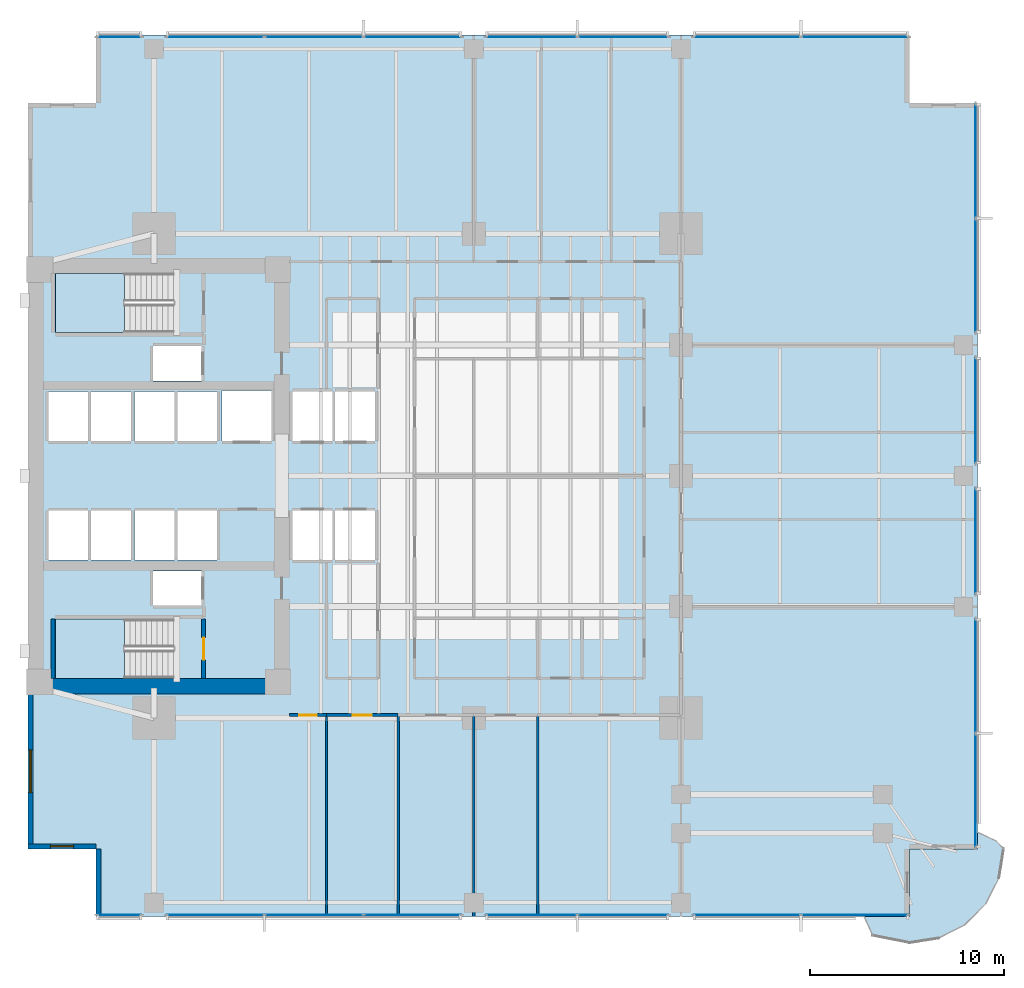
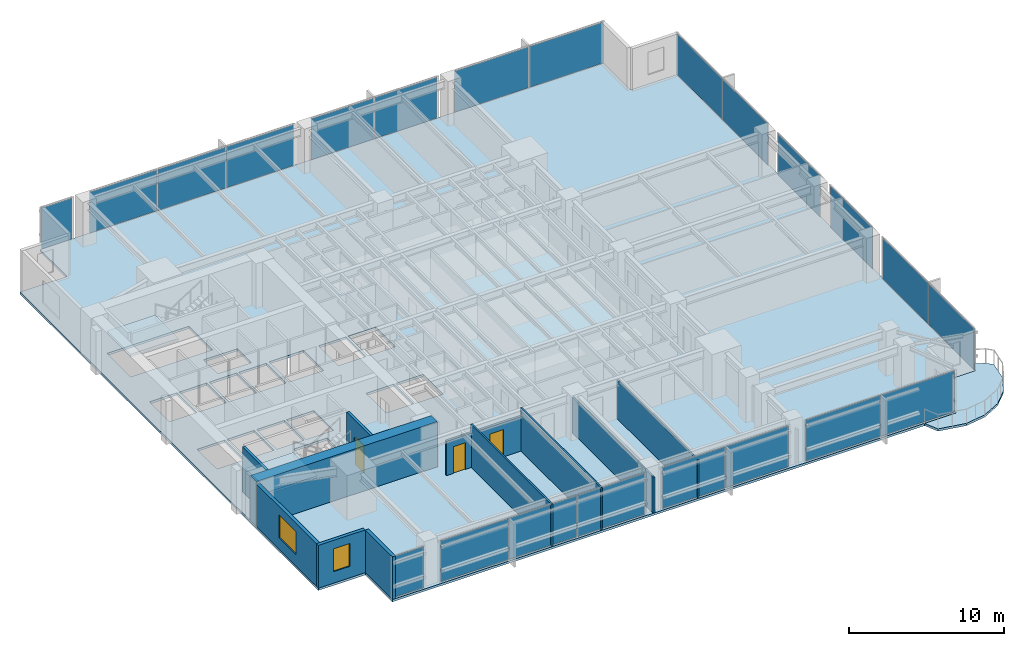
# One storey, part 7 of 16: 22 plates, 12 walls, 4 slabs, 3 doors, 2 windows, 5 openings, 14 elements without a shape of their own.
"""IFC4 building model written with IfcOpenShell, lengths in metres."""

from ifc_helpers import new_model, si_unit, direction, frame, frame_2d, origin, origin_2d, place, context, subcontext, project, spatial, polyline, rectangle, outline, extrude, material, layer, layer_set, type_object, element, fill, aggregate, save


model = new_model("IFC4")

# Units and contexts
model_context = context("Model", 3, precision=1e-05, world=origin(), true_north=direction((0.0, 1.0)))
body_context = subcontext(model_context, "Body", "Model", "MODEL_VIEW")
ifc_project = project(units=[si_unit("LENGTHUNIT", "METRE"), si_unit("AREAUNIT", "SQUARE_METRE"), si_unit("VOLUMEUNIT", "CUBIC_METRE"), si_unit("PLANEANGLEUNIT", "RADIAN"), si_unit("MASSUNIT", "GRAM", prefix="KILO")], contexts=[model_context])

# Site, building, storey
site_placement = place(None, origin())
site = spatial("IfcSite", under=ifc_project, at=site_placement, CompositionType="ELEMENT")
building_placement = place(site_placement, origin())
building = spatial("IfcBuilding", under=site, at=building_placement, Name="Kinhvarn Gate Tower", CompositionType="ELEMENT")
storey_placement = place(building_placement, frame((0.0, 0.0, 82.39990234375)))
storey = spatial("IfcBuildingStorey", under=building, at=storey_placement, Name="L21", CompositionType="ELEMENT", Elevation=82.39990234375)

# Curtain wall, plate
ifc_material_1 = material(Name="Anodised aluminium AW-6063", Category="aluminium")
ifc_layer_1 = layer(ifc_material_1, 0.179931640625)
ifc_layer_set_1 = layer_set([ifc_layer_1], Name="Anodised aluminium AW-6063")
curtain_wall_type = type_object("IfcCurtainWallType", Name="CW-SYS-2", PredefinedType="NOTDEFINED", material=ifc_layer_set_1)
curtain_wall_1_placement = place(storey_placement, origin())
curtain_wall_1 = element("IfcCurtainWall", 1, at=curtain_wall_1_placement, inside=storey, type_object=curtain_wall_type, Name="Curtain Wall CW2 (L21)", PredefinedType="NOTDEFINED")
ifc_material_2 = material(Name="Clear low-e double glazing", Category="glass")
ifc_layer_2 = layer(ifc_material_2, 0.031982421875)
ifc_layer_set_2 = layer_set([ifc_layer_2], Name="Clear low-e double glazing")
plate_type = type_object("IfcPlateType", Name="CW-PNL-VIS", PredefinedType="CURTAIN_PANEL", material=ifc_layer_set_2)
plate_1_placement = place(storey_placement, frame((9.2099609375, 2.590087890625, 0.070068359375), z_axis=(0.0, 0.0, 1.0), x_axis=(1.0, 0.0, 0.0)))
plate_1 = element("IfcPlate", 2, at=plate_1_placement, type_object=plate_type, Name="CW2 panel 1.1", PredefinedType="CURTAIN_PANEL", context=body_context, shape_type="SweptSolid", body=[
    extrude(rectangle(XDim=2.280029296875, YDim=0.031982421875, at=origin_2d()), origin(), (0.0, 0.0, 1.0), 3.22998046875),
])
aggregate(curtain_wall_1, [plate_1])

# Curtain wall, plates
curtain_wall_2_placement = place(storey_placement, origin())
curtain_wall_2 = element("IfcCurtainWall", 3, at=curtain_wall_2_placement, inside=storey, type_object=curtain_wall_type, Name="Curtain Wall CW2 (L21)", PredefinedType="NOTDEFINED")
plate_2_placement = place(storey_placement, frame((14.154052734375, 2.590087890625, 0.070068359375), z_axis=(0.0, 0.0, 1.0), x_axis=(1.0, 0.0, 0.0)))
plate_2 = element("IfcPlate", 4, at=plate_2_placement, type_object=plate_type, Name="CW2 panel 1.1", PredefinedType="CURTAIN_PANEL", context=body_context, shape_type="SweptSolid", body=[
    extrude(rectangle(XDim=5.00830078125, YDim=0.031982421875, at=origin_2d()), origin(), (0.0, 0.0, 1.0), 3.22998046875),
])
plate_3_placement = place(storey_placement, frame((19.25, 2.590087890625, 0.070068359375), z_axis=(0.0, 0.0, 1.0), x_axis=(1.0, 0.0, 0.0)))
plate_3 = element("IfcPlate", 5, at=plate_3_placement, type_object=plate_type, Name="CW2 panel 2.1", PredefinedType="CURTAIN_PANEL", context=body_context, shape_type="SweptSolid", body=[
    extrude(rectangle(XDim=5.043212890625, YDim=0.031982421875, at=origin_2d()), origin(), (0.0, 0.0, 1.0), 3.22998046875),
])
plate_4_placement = place(storey_placement, frame((24.345947265625, 2.590087890625, 0.070068359375), z_axis=(0.0, 0.0, 1.0), x_axis=(1.0, 0.0, 0.0)))
plate_4 = element("IfcPlate", 6, at=plate_4_placement, type_object=plate_type, Name="CW2 panel 3.1", PredefinedType="CURTAIN_PANEL", context=body_context, shape_type="SweptSolid", body=[
    extrude(rectangle(XDim=5.00830078125, YDim=0.031982421875, at=origin_2d()), origin(), (0.0, 0.0, 1.0), 3.22998046875),
])
aggregate(curtain_wall_2, [plate_2, plate_3, plate_4])

curtain_wall_3_placement = place(storey_placement, origin())
curtain_wall_3 = element("IfcCurtainWall", 7, at=curtain_wall_3_placement, inside=storey, type_object=curtain_wall_type, Name="Curtain Wall CW2 (L21)", PredefinedType="NOTDEFINED")
plate_5_placement = place(storey_placement, frame((30.482421875, 2.590087890625, 0.070068359375), z_axis=(0.0, 0.0, 1.0), x_axis=(1.0, 0.0, 0.0)))
plate_5 = element("IfcPlate", 8, at=plate_5_placement, type_object=plate_type, Name="CW2 panel 1.1", PredefinedType="CURTAIN_PANEL", context=body_context, shape_type="SweptSolid", body=[
    extrude(rectangle(XDim=4.6650390625, YDim=0.031982421875, at=origin_2d()), origin(), (0.0, 0.0, 1.0), 3.22998046875),
])
plate_6_placement = place(storey_placement, frame((35.217529296875, 2.590087890625, 0.070068359375), z_axis=(0.0, 0.0, 1.0), x_axis=(1.0, 0.0, 0.0)))
plate_6 = element("IfcPlate", 9, at=plate_6_placement, type_object=plate_type, Name="CW2 panel 2.1", PredefinedType="CURTAIN_PANEL", context=body_context, shape_type="SweptSolid", body=[
    extrude(rectangle(XDim=4.6650390625, YDim=0.031982421875, at=origin_2d()), origin(), (0.0, 0.0, 1.0), 3.22998046875),
])
aggregate(curtain_wall_3, [plate_5, plate_6])

curtain_wall_4_placement = place(storey_placement, origin())
curtain_wall_4 = element("IfcCurtainWall", 10, at=curtain_wall_4_placement, inside=storey, type_object=curtain_wall_type, Name="Curtain Wall CW2 (L21)", PredefinedType="NOTDEFINED")
plate_7_placement = place(storey_placement, frame((41.6025390625, 2.590087890625, 0.070068359375), z_axis=(0.0, 0.0, 1.0), x_axis=(1.0, 0.0, 0.0)))
plate_7 = element("IfcPlate", 11, at=plate_7_placement, type_object=plate_type, Name="CW2 panel 1.1", PredefinedType="CURTAIN_PANEL", context=body_context, shape_type="SweptSolid", body=[
    extrude(rectangle(XDim=5.5048828125, YDim=0.031982421875, at=origin_2d()), origin(), (0.0, 0.0, 1.0), 3.22998046875),
])
plate_8_placement = place(storey_placement, frame((47.177490234375, 2.590087890625, 0.070068359375), z_axis=(0.0, 0.0, 1.0), x_axis=(1.0, 0.0, 0.0)))
plate_8 = element("IfcPlate", 12, at=plate_8_placement, type_object=plate_type, Name="CW2 panel 2.1", PredefinedType="CURTAIN_PANEL", context=body_context, shape_type="SweptSolid", body=[
    extrude(rectangle(XDim=5.5048828125, YDim=0.031982421875, at=origin_2d()), origin(), (0.0, 0.0, 1.0), 3.22998046875),
])
aggregate(curtain_wall_4, [plate_7, plate_8])

curtain_wall_5_placement = place(storey_placement, origin())
curtain_wall_5 = element("IfcCurtainWall", 13, at=curtain_wall_5_placement, inside=storey, type_object=curtain_wall_type, Name="Curtain Wall CW2 (L21)", PredefinedType="NOTDEFINED")
plate_9_placement = place(storey_placement, frame((47.177490234375, 47.909912109375, 0.070068359375), z_axis=(0.0, 0.0, 1.0), x_axis=(-1.0, 0.0, 0.0)))
plate_9 = element("IfcPlate", 14, at=plate_9_placement, type_object=plate_type, Name="CW2 panel 1.1", PredefinedType="CURTAIN_PANEL", context=body_context, shape_type="SweptSolid", body=[
    extrude(rectangle(XDim=5.5048828125, YDim=0.031982421875, at=origin_2d()), origin(), (0.0, 0.0, 1.0), 3.22998046875),
])
plate_10_placement = place(storey_placement, frame((41.6025390625, 47.909912109375, 0.070068359375), z_axis=(0.0, 0.0, 1.0), x_axis=(-1.0, 0.0, 0.0)))
plate_10 = element("IfcPlate", 15, at=plate_10_placement, type_object=plate_type, Name="CW2 panel 2.1", PredefinedType="CURTAIN_PANEL", context=body_context, shape_type="SweptSolid", body=[
    extrude(rectangle(XDim=5.5048828125, YDim=0.031982421875, at=origin_2d()), origin(), (0.0, 0.0, 1.0), 3.22998046875),
])
aggregate(curtain_wall_5, [plate_9, plate_10])

curtain_wall_6_placement = place(storey_placement, origin())
curtain_wall_6 = element("IfcCurtainWall", 16, at=curtain_wall_6_placement, inside=storey, type_object=curtain_wall_type, Name="Curtain Wall CW2 (L21)", PredefinedType="NOTDEFINED")
plate_11_placement = place(storey_placement, frame((35.217529296875, 47.909912109375, 0.070068359375), z_axis=(0.0, 0.0, 1.0), x_axis=(-1.0, 0.0, 0.0)))
plate_11 = element("IfcPlate", 17, at=plate_11_placement, type_object=plate_type, Name="CW2 panel 1.1", PredefinedType="CURTAIN_PANEL", context=body_context, shape_type="SweptSolid", body=[
    extrude(rectangle(XDim=4.6650390625, YDim=0.031982421875, at=origin_2d()), origin(), (0.0, 0.0, 1.0), 3.22998046875),
])
plate_12_placement = place(storey_placement, frame((30.482421875, 47.909912109375, 0.070068359375), z_axis=(0.0, 0.0, 1.0), x_axis=(-1.0, 0.0, 0.0)))
plate_12 = element("IfcPlate", 18, at=plate_12_placement, type_object=plate_type, Name="CW2 panel 2.1", PredefinedType="CURTAIN_PANEL", context=body_context, shape_type="SweptSolid", body=[
    extrude(rectangle(XDim=4.6650390625, YDim=0.031982421875, at=origin_2d()), origin(), (0.0, 0.0, 1.0), 3.22998046875),
])
aggregate(curtain_wall_6, [plate_11, plate_12])

curtain_wall_7_placement = place(storey_placement, origin())
curtain_wall_7 = element("IfcCurtainWall", 19, at=curtain_wall_7_placement, inside=storey, type_object=curtain_wall_type, Name="Curtain Wall CW2 (L21)", PredefinedType="NOTDEFINED")
plate_13_placement = place(storey_placement, frame((24.345947265625, 47.909912109375, 0.070068359375), z_axis=(0.0, 0.0, 1.0), x_axis=(-1.0, 0.0, 0.0)))
plate_13 = element("IfcPlate", 20, at=plate_13_placement, type_object=plate_type, Name="CW2 panel 1.1", PredefinedType="CURTAIN_PANEL", context=body_context, shape_type="SweptSolid", body=[
    extrude(rectangle(XDim=5.00830078125, YDim=0.031982421875, at=origin_2d()), origin(), (0.0, 0.0, 1.0), 3.22998046875),
])
plate_14_placement = place(storey_placement, frame((19.25, 47.909912109375, 0.070068359375), z_axis=(0.0, 0.0, 1.0), x_axis=(-1.0, 0.0, 0.0)))
plate_14 = element("IfcPlate", 21, at=plate_14_placement, type_object=plate_type, Name="CW2 panel 2.1", PredefinedType="CURTAIN_PANEL", context=body_context, shape_type="SweptSolid", body=[
    extrude(rectangle(XDim=5.043212890625, YDim=0.031982421875, at=origin_2d()), origin(), (0.0, 0.0, 1.0), 3.22998046875),
])
plate_15_placement = place(storey_placement, frame((14.154052734375, 47.909912109375, 0.070068359375), z_axis=(0.0, 0.0, 1.0), x_axis=(-1.0, 0.0, 0.0)))
plate_15 = element("IfcPlate", 22, at=plate_15_placement, type_object=plate_type, Name="CW2 panel 3.1", PredefinedType="CURTAIN_PANEL", context=body_context, shape_type="SweptSolid", body=[
    extrude(rectangle(XDim=5.00830078125, YDim=0.031982421875, at=origin_2d()), origin(), (0.0, 0.0, 1.0), 3.22998046875),
])
aggregate(curtain_wall_7, [plate_13, plate_14, plate_15])

# Curtain wall, plate
curtain_wall_8_placement = place(storey_placement, origin())
curtain_wall_8 = element("IfcCurtainWall", 23, at=curtain_wall_8_placement, inside=storey, type_object=curtain_wall_type, Name="Curtain Wall CW2 (L21)", PredefinedType="NOTDEFINED")
plate_16_placement = place(storey_placement, frame((9.2099609375, 47.909912109375, 0.070068359375), z_axis=(0.0, 0.0, 1.0), x_axis=(-1.0, 0.0, 0.0)))
plate_16 = element("IfcPlate", 24, at=plate_16_placement, type_object=plate_type, Name="CW2 panel 1.1", PredefinedType="CURTAIN_PANEL", context=body_context, shape_type="SweptSolid", body=[
    extrude(rectangle(XDim=2.280029296875, YDim=0.031982421875, at=origin_2d()), origin(), (0.0, 0.0, 1.0), 3.22998046875),
])
aggregate(curtain_wall_8, [plate_16])

# Curtain wall, plates
curtain_wall_9_placement = place(storey_placement, origin())
curtain_wall_9 = element("IfcCurtainWall", 25, at=curtain_wall_9_placement, inside=storey, type_object=curtain_wall_type, Name="Curtain Wall CW2 (L21)", PredefinedType="NOTDEFINED")
plate_17_placement = place(storey_placement, frame((53.409912109375, 8.99755859375, 0.070068359375), z_axis=(0.0, 0.0, 1.0), x_axis=(0.0, 1.0, 0.0)))
plate_17 = element("IfcPlate", 26, at=plate_17_placement, type_object=plate_type, Name="CW2 panel 1.1", PredefinedType="CURTAIN_PANEL", context=body_context, shape_type="SweptSolid", body=[
    extrude(rectangle(XDim=5.85498046875, YDim=0.031982421875, at=origin_2d()), origin(), (0.0, 0.0, 1.0), 3.22998046875),
])
plate_18_placement = place(storey_placement, frame((53.409912109375, 14.922607421875, 0.070068359375), z_axis=(0.0, 0.0, 1.0), x_axis=(0.0, 1.0, 0.0)))
plate_18 = element("IfcPlate", 27, at=plate_18_placement, type_object=plate_type, Name="CW2 panel 2.1", PredefinedType="CURTAIN_PANEL", context=body_context, shape_type="SweptSolid", body=[
    extrude(rectangle(XDim=5.85498046875, YDim=0.031982421875, at=origin_2d()), origin(), (0.0, 0.0, 1.0), 3.22998046875),
])
aggregate(curtain_wall_9, [plate_17, plate_18])

# Curtain wall, plate
curtain_wall_10_placement = place(storey_placement, origin())
curtain_wall_10 = element("IfcCurtainWall", 28, at=curtain_wall_10_placement, inside=storey, type_object=curtain_wall_type, Name="Curtain Wall CW2 (L21)", PredefinedType="NOTDEFINED")
plate_19_placement = place(storey_placement, frame((53.409912109375, 21.875, 0.070068359375), z_axis=(0.0, 0.0, 1.0), x_axis=(0.0, 1.0, 0.0)))
plate_19 = element("IfcPlate", 29, at=plate_19_placement, type_object=plate_type, Name="CW2 panel 1.1", PredefinedType="CURTAIN_PANEL", context=body_context, shape_type="SweptSolid", body=[
    extrude(rectangle(XDim=5.449951171875, YDim=0.031982421875, at=origin_2d()), origin(), (0.0, 0.0, 1.0), 3.22998046875),
])
aggregate(curtain_wall_10, [plate_19])

curtain_wall_11_placement = place(storey_placement, origin())
curtain_wall_11 = element("IfcCurtainWall", 30, at=curtain_wall_11_placement, inside=storey, type_object=curtain_wall_type, Name="Curtain Wall CW2 (L21)", PredefinedType="NOTDEFINED")
plate_20_placement = place(storey_placement, frame((53.409912109375, 28.625, 0.070068359375), z_axis=(0.0, 0.0, 1.0), x_axis=(0.0, 1.0, 0.0)))
plate_20 = element("IfcPlate", 31, at=plate_20_placement, type_object=plate_type, Name="CW2 panel 1.1", PredefinedType="CURTAIN_PANEL", context=body_context, shape_type="SweptSolid", body=[
    extrude(rectangle(XDim=5.449951171875, YDim=0.031982421875, at=origin_2d()), origin(), (0.0, 0.0, 1.0), 3.22998046875),
])
aggregate(curtain_wall_11, [plate_20])

# Curtain wall, plates
curtain_wall_12_placement = place(storey_placement, origin())
curtain_wall_12 = element("IfcCurtainWall", 32, at=curtain_wall_12_placement, inside=storey, type_object=curtain_wall_type, Name="Curtain Wall CW2 (L21)", PredefinedType="NOTDEFINED")
plate_21_placement = place(storey_placement, frame((53.409912109375, 35.577392578125, 0.070068359375), z_axis=(0.0, 0.0, 1.0), x_axis=(0.0, 1.0, 0.0)))
plate_21 = element("IfcPlate", 33, at=plate_21_placement, type_object=plate_type, Name="CW2 panel 1.1", PredefinedType="CURTAIN_PANEL", context=body_context, shape_type="SweptSolid", body=[
    extrude(rectangle(XDim=5.85498046875, YDim=0.031982421875, at=origin_2d()), origin(), (0.0, 0.0, 1.0), 3.22998046875),
])
plate_22_placement = place(storey_placement, frame((53.409912109375, 41.50244140625, 0.070068359375), z_axis=(0.0, 0.0, 1.0), x_axis=(0.0, 1.0, 0.0)))
plate_22 = element("IfcPlate", 34, at=plate_22_placement, type_object=plate_type, Name="CW2 panel 2.1", PredefinedType="CURTAIN_PANEL", context=body_context, shape_type="SweptSolid", body=[
    extrude(rectangle(XDim=5.85498046875, YDim=0.031982421875, at=origin_2d()), origin(), (0.0, 0.0, 1.0), 3.22998046875),
])
aggregate(curtain_wall_12, [plate_21, plate_22])

# Slabs
ifc_material_3 = material(Name="Precast white architectural concrete C40/50", Category="concrete")
ifc_layer_3 = layer(ifc_material_3, 0.179931640625)
ifc_layer_set_3 = layer_set([ifc_layer_3], Name="Precast white architectural concrete C40/50")
slab_type_1 = type_object("IfcSlabType", Name="SLB-BAL-180", PredefinedType="FLOOR", material=ifc_layer_set_3)
slab_1_placement = place(storey_placement, frame((0.0, 0.0, -0.179931640625)))
element("IfcSlab", 35, at=slab_1_placement, inside=storey, type_object=slab_type_1, Name="S-Carve Curved Terrace Balcony Slab L21 (SE)", PredefinedType="FLOOR", context=body_context, shape_type="SweptSolid", body=[
    extrude(outline(polyline([(47.65087890625, 2.5), (48.10107421875, 1.528076171875), (50.0, 1.14990234375), (51.498779296875, 1.387451171875), (52.850830078125, 2.076416015625), (53.923583984375, 3.149169921875), (54.612548828125, 4.501220703125), (54.85009765625, 6.0), (54.471923828125, 6.40087890625), (53.5, 6.85107421875), (53.5, 6.0), (50.0, 6.0), (50.0, 2.5), (47.65087890625, 2.5)])), origin(), (0.0, 0.0, 1.0), 0.179931640625),
])
ifc_material_4 = material(Name="Concrete C40/50", Category="concrete")
ifc_layer_4 = layer(ifc_material_4, 0.179931640625)
ifc_layer_set_4 = layer_set([ifc_layer_4], Name="Concrete C40/50")
slab_type_2 = type_object("IfcSlabType", Name="SLB-FLR-180", PredefinedType="FLOOR", material=ifc_layer_set_4)
slab_2_placement = place(storey_placement, frame((0.0, 0.0, -0.179931640625)))
element("IfcSlab", 36, at=slab_2_placement, inside=storey, type_object=slab_type_2, Name="Suspended Floor Slab L21", PredefinedType="FLOOR", context=body_context, shape_type="SweptSolid", body=[
    extrude(outline(polyline([(8.0, 2.5), (50.0, 2.5), (50.0, 6.0), (53.5, 6.0), (53.5, 44.5), (50.0, 44.5), (50.0, 48.0), (8.0, 48.0), (8.0, 44.5), (4.5, 44.5), (4.5, 6.0), (8.0, 6.0), (8.0, 2.5)]), holes=[polyline([(5.89990234375, 14.800048828125), (12.0, 14.800048828125), (12.0, 17.85009765625), (5.89990234375, 17.85009765625), (5.89990234375, 14.800048828125)]), polyline([(5.89990234375, 32.64990234375), (12.0, 32.64990234375), (12.0, 35.699951171875), (5.89990234375, 35.699951171875), (5.89990234375, 32.64990234375)]), polyline([(18.14990234375, 20.89990234375), (20.199951171875, 20.89990234375), (20.199951171875, 23.449951171875), (18.14990234375, 23.449951171875), (18.14990234375, 20.89990234375)]), polyline([(20.35009765625, 20.89990234375), (22.39990234375, 20.89990234375), (22.39990234375, 23.449951171875), (20.35009765625, 23.449951171875), (20.35009765625, 20.89990234375)]), polyline([(18.14990234375, 27.050048828125), (20.199951171875, 27.050048828125), (20.199951171875, 29.60009765625), (18.14990234375, 29.60009765625), (18.14990234375, 27.050048828125)]), polyline([(20.35009765625, 27.050048828125), (22.39990234375, 27.050048828125), (22.39990234375, 29.60009765625), (20.35009765625, 29.60009765625), (20.35009765625, 27.050048828125)]), polyline([(5.550048828125, 20.89990234375), (7.60009765625, 20.89990234375), (7.60009765625, 23.449951171875), (5.550048828125, 23.449951171875), (5.550048828125, 20.89990234375)]), polyline([(7.75, 20.89990234375), (9.800048828125, 20.89990234375), (9.800048828125, 23.449951171875), (7.75, 23.449951171875), (7.75, 20.89990234375)]), polyline([(5.550048828125, 27.050048828125), (7.60009765625, 27.050048828125), (7.60009765625, 29.60009765625), (5.550048828125, 29.60009765625), (5.550048828125, 27.050048828125)]), polyline([(7.75, 27.050048828125), (9.800048828125, 27.050048828125), (9.800048828125, 29.60009765625), (7.75, 29.60009765625), (7.75, 27.050048828125)]), polyline([(10.0, 20.89990234375), (12.050048828125, 20.89990234375), (12.050048828125, 23.449951171875), (10.0, 23.449951171875), (10.0, 20.89990234375)]), polyline([(12.199951171875, 20.89990234375), (14.25, 20.89990234375), (14.25, 23.449951171875), (12.199951171875, 23.449951171875), (12.199951171875, 20.89990234375)]), polyline([(10.0, 27.050048828125), (12.050048828125, 27.050048828125), (12.050048828125, 29.60009765625), (10.0, 29.60009765625), (10.0, 27.050048828125)]), polyline([(12.199951171875, 27.050048828125), (14.25, 27.050048828125), (14.25, 29.60009765625), (12.199951171875, 29.60009765625), (12.199951171875, 27.050048828125)]), polyline([(14.5, 27.050048828125), (17.050048828125, 27.050048828125), (17.050048828125, 29.64990234375), (14.5, 29.64990234375), (14.5, 27.050048828125)]), polyline([(10.949951171875, 18.550048828125), (13.449951171875, 18.550048828125), (13.449951171875, 20.35009765625), (10.949951171875, 20.35009765625), (10.949951171875, 18.550048828125)]), polyline([(10.949951171875, 30.14990234375), (13.449951171875, 30.14990234375), (13.449951171875, 31.949951171875), (10.949951171875, 31.949951171875), (10.949951171875, 30.14990234375)])]), origin(), (0.0, 0.0, 1.0), 0.179931640625),
])

# Stair, slab
stair_type = type_object("IfcStairType", Name="STR-DLG-177", PredefinedType="HALF_TURN_STAIR", material=ifc_material_4)
stair_1_placement = place(storey_placement, origin())
stair_1 = element("IfcStair", 37, at=stair_1_placement, inside=storey, type_object=stair_type, Name="L21 Core Smokeproof Exit Stair ST1", PredefinedType="HALF_TURN_STAIR")
ifc_layer_5 = layer(ifc_material_4, 0.199951171875)
ifc_layer_set_5 = layer_set([ifc_layer_5], Name="Concrete C40/50")
slab_type_3 = type_object("IfcSlabType", Name="SLB-ST-LND", PredefinedType="LANDING", material=ifc_layer_set_5)
slab_3_placement = place(storey_placement, frame((0.0, 0.0, 1.5751953125)))
slab_3 = element("IfcSlab", 38, at=slab_3_placement, type_object=slab_type_3, Name="ST1 landing 1", PredefinedType="LANDING", context=body_context, shape_type="SweptSolid", body=[
    extrude(outline(polyline([(9.47998046875, 17.85009765625), (5.89990234375, 17.85009765625), (5.89990234375, 14.800048828125), (9.47998046875, 14.800048828125), (9.47998046875, 17.85009765625)])), origin(), (0.0, 0.0, 1.0), 0.199951171875),
])
aggregate(stair_1, [slab_3])

stair_2_placement = place(storey_placement, origin())
stair_2 = element("IfcStair", 39, at=stair_2_placement, inside=storey, type_object=stair_type, Name="L21 Core Smokeproof Exit Stair ST2", PredefinedType="HALF_TURN_STAIR")
slab_4_placement = place(storey_placement, frame((0.0, 0.0, 1.5751953125)))
slab_4 = element("IfcSlab", 40, at=slab_4_placement, type_object=slab_type_3, Name="ST2 landing 1", PredefinedType="LANDING", context=body_context, shape_type="SweptSolid", body=[
    extrude(outline(polyline([(9.47998046875, 35.699951171875), (5.89990234375, 35.699951171875), (5.89990234375, 32.64990234375), (9.47998046875, 32.64990234375), (9.47998046875, 35.699951171875)])), origin(), (0.0, 0.0, 1.0), 0.199951171875),
])
aggregate(stair_2, [slab_4])

# Wall
ifc_material_5 = material(Name="Concrete C70/85", Category="concrete")
ifc_layer_6 = layer(ifc_material_5, 0.800048828125)
ifc_layer_set_6 = layer_set([ifc_layer_6], Name="Concrete C70/85")
wall_type_1 = type_object("IfcWallType", Name="WL-CORE-800", PredefinedType="SHEAR", material=ifc_layer_set_6)
wall_1_placement = place(storey_placement, frame((4.5, 14.39990234375, 0.0), z_axis=(0.0, 0.0, 1.0), x_axis=(1.0, 0.0, 0.0)))
element("IfcWall", 41, at=wall_1_placement, inside=storey, type_object=wall_type_1, Name="Core South Shear Wall L21 800 mm", PredefinedType="SHEAR", context=body_context, shape_type="SweptSolid", body=[
    extrude(rectangle(XDim=13.5, YDim=0.800048828125, at=frame_2d((6.75, 0.0))), origin(), (0.0, 0.0, 1.0), 3.550048828125),
])

# Wall, opening, window
ifc_material_6 = material(Name="Fired architectural terracotta", Category="masonry")
ifc_layer_7 = layer(ifc_material_6, 0.25)
ifc_layer_set_7 = layer_set([ifc_layer_7], Name="Fired architectural terracotta")
wall_type_2 = type_object("IfcWallType", Name="WL-EXT-250", PredefinedType="SOLIDWALL", material=ifc_layer_set_7)
wall_2_placement = place(storey_placement, frame((4.625, 14.0, 0.0), z_axis=(0.0, 0.0, 1.0), x_axis=(0.0, -1.0, 0.0)))
wall_2 = element("IfcWall", 42, at=wall_2_placement, inside=storey, type_object=wall_type_2, Name="Exterior Solidwall Wall EW-250 (L21 West-South)", PredefinedType="SOLIDWALL", context=body_context, shape_type="SweptSolid", body=[
    extrude(rectangle(XDim=8.0, YDim=0.25, at=frame_2d((4.0, 0.0))), origin(), (0.0, 0.0, 1.0), 3.3701171875),
])
opening_1_placement = place(wall_2_placement, frame((2.89990234375, 0.0, 0.89990234375)))
opening_1 = element("IfcOpeningElement", 43, at=opening_1_placement, cuts=wall_2, Name="Opening WN-01", PredefinedType="OPENING", context=body_context, shape_type="SweptSolid", body=[
    extrude(rectangle(XDim=2.199951171875, YDim=1.800048828125, at=frame_2d((1.10009765625, 0.89990234375))), frame((0.0, 0.135009765625, 0.0), z_axis=(0.0, -1.0, 0.0), x_axis=(1.0, 0.0, 0.0)), (0.0, 0.0, 1.0), 0.27001953125),
])
window_type_1 = type_object("IfcWindowType", Name="WIN-RIB-2200", PartitioningType="SINGLE_PANEL", PredefinedType="WINDOW", material=ifc_material_2)
window_1_placement = place(opening_1_placement, origin())
window_1 = element("IfcWindow", 44, at=window_1_placement, inside=storey, type_object=window_type_1, Name="West Flank Double-Glazed Ribbon Window 2200x1800 mm (L21)", OverallHeight=1.800048828125, OverallWidth=2.199951171875, PartitioningType="SINGLE_PANEL", PredefinedType="WINDOW", context=body_context, shape_type="SweptSolid", body=[
    extrude(rectangle(XDim=2.199951171875, YDim=1.800048828125, at=frame_2d((1.10009765625, 0.89990234375))), frame((0.0, 0.030029296875, 0.0), z_axis=(0.0, -1.0, 0.0), x_axis=(1.0, 0.0, 0.0)), (0.0, 0.0, 1.0), 0.06005859375),
])
fill(opening_1, window_1)

wall_3_placement = place(storey_placement, frame((4.5, 6.125, 0.0), z_axis=(0.0, 0.0, 1.0), x_axis=(1.0, 0.0, 0.0)))
wall_3 = element("IfcWall", 45, at=wall_3_placement, inside=storey, type_object=wall_type_2, Name="Exterior Solidwall Wall EW-250 (L21 SW-Notch-1)", PredefinedType="SOLIDWALL", context=body_context, shape_type="SweptSolid", body=[
    extrude(rectangle(XDim=3.5, YDim=0.25, at=frame_2d((1.75, 0.0))), origin(), (0.0, 0.0, 1.0), 3.3701171875),
])
opening_2_placement = place(wall_3_placement, frame((1.14990234375, 0.0, 0.89990234375)))
opening_2 = element("IfcOpeningElement", 46, at=opening_2_placement, cuts=wall_3, Name="Opening WN-02", PredefinedType="OPENING", context=body_context, shape_type="SweptSolid", body=[
    extrude(rectangle(XDim=1.199951171875, YDim=1.800048828125, at=frame_2d((0.60009765625, 0.89990234375))), frame((0.0, 0.135009765625, 0.0), z_axis=(0.0, -1.0, 0.0), x_axis=(1.0, 0.0, 0.0)), (0.0, 0.0, 1.0), 0.27001953125),
])
window_type_2 = type_object("IfcWindowType", Name="WIN-NTC-1200", PartitioningType="SINGLE_PANEL", PredefinedType="WINDOW", material=ifc_material_2)
window_2_placement = place(opening_2_placement, origin())
window_2 = element("IfcWindow", 47, at=window_2_placement, inside=storey, type_object=window_type_2, Name="Recessed Corner Notch Punched Window 1200x1800 mm (L21)", OverallHeight=1.800048828125, OverallWidth=1.199951171875, PartitioningType="SINGLE_PANEL", PredefinedType="WINDOW", context=body_context, shape_type="SweptSolid", body=[
    extrude(rectangle(XDim=1.199951171875, YDim=1.800048828125, at=frame_2d((0.60009765625, 0.89990234375))), frame((0.0, 0.030029296875, 0.0), z_axis=(0.0, -1.0, 0.0), x_axis=(1.0, 0.0, 0.0)), (0.0, 0.0, 1.0), 0.06005859375),
])
fill(opening_2, window_2)

# Walls
wall_4_placement = place(storey_placement, frame((8.125, 6.0, 0.0), z_axis=(0.0, 0.0, 1.0), x_axis=(0.0, -1.0, 0.0)))
element("IfcWall", 48, at=wall_4_placement, inside=storey, type_object=wall_type_2, Name="Exterior Solidwall Wall EW-250 (L21 SW-Notch-2)", PredefinedType="SOLIDWALL", context=body_context, shape_type="SweptSolid", body=[
    extrude(rectangle(XDim=3.5, YDim=0.25, at=frame_2d((1.75, 0.0))), origin(), (0.0, 0.0, 1.0), 3.3701171875),
])
ifc_material_7 = material(Name="Gypsum acoustic partition board")
ifc_layer_8 = layer(ifc_material_7, 0.1201171875)
ifc_layer_set_8 = layer_set([ifc_layer_8], Name="Gypsum acoustic partition board")
wall_type_3 = type_object("IfcWallType", Name="WL-PRT-120", PredefinedType="PARTITIONING", material=ifc_layer_set_8)
for number, where, z_axis, x_axis, name in (
    (49, (19.89990234375, 2.510009765625, 0.0), (0.0, 0.0, 1.0), (0.0, 1.0, 0.0), "Interior Partition PW-120 (L21)"),
    (50, (23.60009765625, 2.510009765625, 0.0), (0.0, 0.0, 1.0), (0.0, 1.0, 0.0), "Interior Partition PW-120 (L21)"),
):
    element("IfcWall", number, at=place(storey_placement, frame(where, z_axis=z_axis, x_axis=x_axis)), inside=storey, type_object=wall_type_3, Name=name, PredefinedType="PARTITIONING", context=body_context, shape_type="SweptSolid", body=[
        extrude(rectangle(XDim=10.389892578125, YDim=0.1201171875, at=frame_2d((5.19482421875, 0.0))), origin(), (0.0, 0.0, 1.0), 3.3701171875),
    ])
wall_5_placement = place(storey_placement, frame((27.5, 2.510009765625, 0.0), z_axis=(0.0, 0.0, 1.0), x_axis=(0.0, 1.0, 0.0)))
element("IfcWall", 51, at=wall_5_placement, inside=storey, type_object=wall_type_3, Name="Interior Partition PW-120 (L21)", PredefinedType="PARTITIONING", context=body_context, shape_type="SweptSolid", body=[
    extrude(rectangle(XDim=10.389892578125, YDim=0.1201171875, at=frame_2d((5.19482421875, 0.0))), origin(), (0.0, 0.0, 1.0), 2.820068359375),
])
wall_6_placement = place(storey_placement, frame((30.800048828125, 2.510009765625, 0.0), z_axis=(0.0, 0.0, 1.0), x_axis=(0.0, 1.0, 0.0)))
element("IfcWall", 52, at=wall_6_placement, inside=storey, type_object=wall_type_3, Name="Interior Partition PW-120 (L21)", PredefinedType="PARTITIONING", context=body_context, shape_type="SweptSolid", body=[
    extrude(rectangle(XDim=10.389892578125, YDim=0.1201171875, at=frame_2d((5.19482421875, 0.0))), origin(), (0.0, 0.0, 1.0), 3.010009765625),
])

# Wall, opening, door
ifc_layer_9 = layer(ifc_material_7, 0.14990234375)
ifc_layer_set_9 = layer_set([ifc_layer_9], Name="Gypsum acoustic partition board")
wall_type_4 = type_object("IfcWallType", Name="WL-PRT-150F", PredefinedType="PARTITIONING", material=ifc_layer_set_9)
wall_7_placement = place(storey_placement, frame((18.0, 12.89990234375, 0.0), z_axis=(0.0, 0.0, 1.0), x_axis=(1.0, 0.0, 0.0)))
wall_7 = element("IfcWall", 53, at=wall_7_placement, inside=storey, type_object=wall_type_4, Name="Interior Partition PW-150F (L21)", PredefinedType="PARTITIONING", context=body_context, shape_type="SweptSolid", body=[
    extrude(rectangle(XDim=1.89990234375, YDim=0.14990234375, at=frame_2d((0.949951171875, 0.0))), origin(), (0.0, 0.0, 1.0), 2.72021484375),
])
opening_3_placement = place(wall_7_placement, frame((0.5, 0.0, 0.0)))
opening_3 = element("IfcOpeningElement", 54, at=opening_3_placement, cuts=wall_7, Name="Opening ID-03", PredefinedType="OPENING", context=body_context, shape_type="SweptSolid", body=[
    extrude(rectangle(XDim=0.89990234375, YDim=2.10009765625, at=frame_2d((0.449951171875, 1.050048828125))), frame((0.0, 0.0849609375, 0.0), z_axis=(0.0, -1.0, 0.0), x_axis=(1.0, 0.0, 0.0)), (0.0, 0.0, 1.0), 0.169921875),
])
door_type_1 = type_object("IfcDoorType", Name="DR-INT-900", OperationType="NOTDEFINED", PredefinedType="DOOR", material=ifc_material_1)
door_1_placement = place(opening_3_placement, origin())
door_1 = element("IfcDoor", 55, at=door_1_placement, inside=storey, type_object=door_type_1, Name="Cellular Office & Restroom Door 900x2100 mm (L21)", OperationType="SINGLE_SWING_LEFT", OverallHeight=2.10009765625, OverallWidth=0.89990234375, PredefinedType="DOOR", context=body_context, shape_type="SweptSolid", body=[
    extrude(rectangle(XDim=0.89990234375, YDim=2.10009765625, at=frame_2d((0.449951171875, 1.050048828125))), frame((0.0, 0.02490234375, 0.0), z_axis=(0.0, -1.0, 0.0), x_axis=(1.0, 0.0, 0.0)), (0.0, 0.0, 1.0), 0.050048828125),
])
fill(opening_3, door_1)

wall_8_placement = place(storey_placement, frame((19.89990234375, 12.89990234375, 0.0), z_axis=(0.0, 0.0, 1.0), x_axis=(1.0, 0.0, 0.0)))
wall_8 = element("IfcWall", 56, at=wall_8_placement, inside=storey, type_object=wall_type_4, Name="Interior Partition PW-150F (L21)", PredefinedType="PARTITIONING", context=body_context, shape_type="SweptSolid", body=[
    extrude(rectangle(XDim=3.7001953125, YDim=0.14990234375, at=frame_2d((1.85009765625, 0.0))), origin(), (0.0, 0.0, 1.0), 2.72021484375),
])
opening_4_placement = place(wall_8_placement, frame((1.35009765625, 0.0, 0.0)))
opening_4 = element("IfcOpeningElement", 57, at=opening_4_placement, cuts=wall_8, Name="Opening ID-02", PredefinedType="OPENING", context=body_context, shape_type="SweptSolid", body=[
    extrude(rectangle(XDim=1.0, YDim=2.14990234375, at=frame_2d((0.5, 1.074951171875))), frame((0.0, 0.0849609375, 0.0), z_axis=(0.0, -1.0, 0.0), x_axis=(1.0, 0.0, 0.0)), (0.0, 0.0, 1.0), 0.169921875),
])
door_type_2 = type_object("IfcDoorType", Name="DR-INT-1000", OperationType="NOTDEFINED", PredefinedType="DOOR", material=ifc_material_1)
door_2_placement = place(opening_4_placement, origin())
door_2 = element("IfcDoor", 58, at=door_2_placement, inside=storey, type_object=door_type_2, Name="Standard Office & Meeting Room Door 1000x2150 mm (L21)", OperationType="SINGLE_SWING_RIGHT", OverallHeight=2.14990234375, OverallWidth=1.0, PredefinedType="DOOR", context=body_context, shape_type="SweptSolid", body=[
    extrude(rectangle(XDim=1.0, YDim=2.14990234375, at=frame_2d((0.5, 1.074951171875))), frame((0.0, 0.02490234375, 0.0), z_axis=(0.0, -1.0, 0.0), x_axis=(1.0, 0.0, 0.0)), (0.0, 0.0, 1.0), 0.050048828125),
])
fill(opening_4, door_2)

# Wall
ifc_layer_10 = layer(ifc_material_4, 0.199951171875)
ifc_layer_set_10 = layer_set([ifc_layer_10], Name="Concrete C40/50")
wall_type_5 = type_object("IfcWallType", Name="WL-SHF-200", PredefinedType="SOLIDWALL", material=ifc_layer_set_10)
wall_9_placement = place(storey_placement, frame((5.7900390625, 14.800048828125, 0.0), z_axis=(0.0, 0.0, 1.0), x_axis=(0.0, 1.0, 0.0)))
element("IfcWall", 59, at=wall_9_placement, inside=storey, type_object=wall_type_5, Name="Stair ST1 West Shaft Wall (L21)", PredefinedType="SOLIDWALL", context=body_context, shape_type="SweptSolid", body=[
    extrude(rectangle(XDim=3.050048828125, YDim=0.199951171875, at=frame_2d((1.52490234375, 0.0))), origin(), (0.0, 0.0, 1.0), 3.550048828125),
])

# Wall, opening, door
wall_10_placement = place(storey_placement, frame((13.56005859375, 14.800048828125, 0.0), z_axis=(0.0, 0.0, 1.0), x_axis=(0.0, 1.0, 0.0)))
wall_10 = element("IfcWall", 60, at=wall_10_placement, inside=storey, type_object=wall_type_5, Name="Stair ST1 East Entry Wall (L21)", PredefinedType="SOLIDWALL", context=body_context, shape_type="SweptSolid", body=[
    extrude(rectangle(XDim=3.050048828125, YDim=0.199951171875, at=frame_2d((1.52490234375, 0.0))), origin(), (0.0, 0.0, 1.0), 3.550048828125),
])
opening_5_placement = place(wall_10_placement, frame((0.949951171875, 0.0, 0.0)))
opening_5 = element("IfcOpeningElement", 61, at=opening_5_placement, cuts=wall_10, Name="Opening FD-01", PredefinedType="OPENING", context=body_context, shape_type="SweptSolid", body=[
    extrude(rectangle(XDim=1.14990234375, YDim=2.14990234375, at=frame_2d((0.574951171875, 1.074951171875))), frame((0.0, 0.10986328125, 0.0), z_axis=(0.0, -1.0, 0.0), x_axis=(1.0, 0.0, 0.0)), (0.0, 0.0, 1.0), 0.219970703125),
])
door_type_3 = type_object("IfcDoorType", Name="DR-ST-1150", OperationType="NOTDEFINED", PredefinedType="DOOR", material=ifc_material_1)
door_3_placement = place(opening_5_placement, origin())
door_3 = element("IfcDoor", 62, at=door_3_placement, inside=storey, type_object=door_type_3, Name="Exit Stair ST1 Fire Door (L21)", OperationType="SINGLE_SWING_LEFT", OverallHeight=2.14990234375, OverallWidth=1.14990234375, PredefinedType="DOOR", context=body_context, shape_type="SweptSolid", body=[
    extrude(rectangle(XDim=1.14990234375, YDim=2.14990234375, at=frame_2d((0.574951171875, 1.074951171875))), frame((0.0, 0.02490234375, 0.0), z_axis=(0.0, -1.0, 0.0), x_axis=(1.0, 0.0, 0.0)), (0.0, 0.0, 1.0), 0.050048828125),
])
fill(opening_5, door_3)

save(model, "model.ifc")
